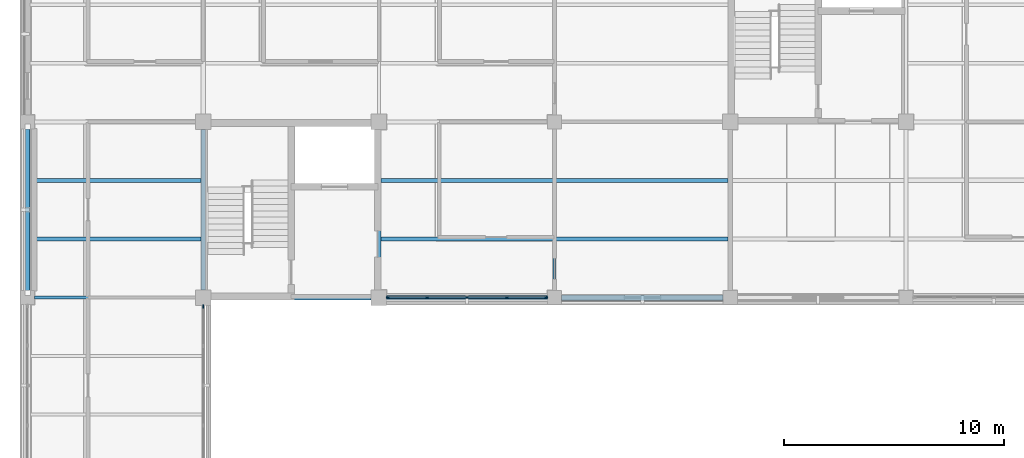
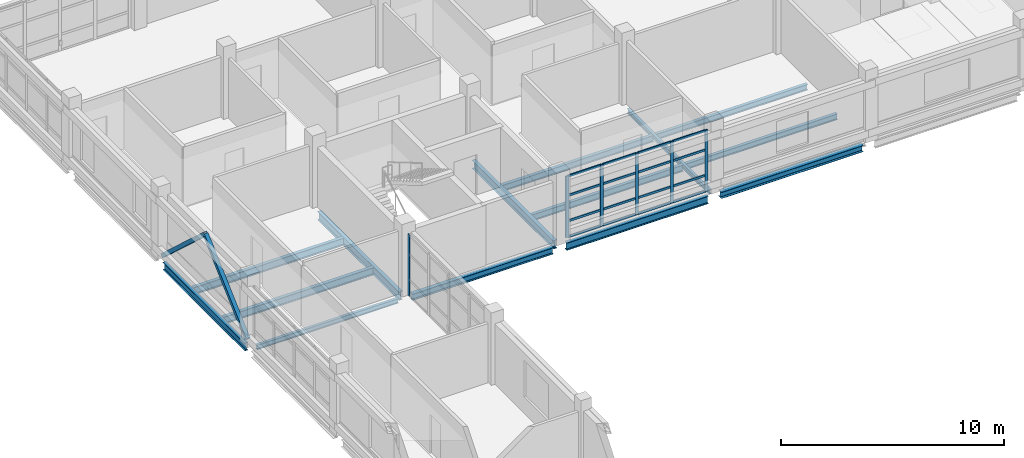
# One storey, part 24 of 92: 24 members, 14 beams, 2 elements without a shape of their own.
"""IFC4 building model written with IfcOpenShell, lengths in metres."""

from ifc_helpers import new_model, si_unit, derived_unit, direction, frame, origin, origin_2d, place, context, subcontext, project, spatial, rectangle, hollow_rectangle, i_section, extrude, material, layer, layer_set, material_profile, profile_set, type_object, element, aggregate, save


model = new_model("IFC4")

# Units and contexts
model_context = context("Model", 3, precision=1e-05, world=origin(), true_north=direction((0.0, 1.0)))
body_context = subcontext(model_context, "Body", "Model", "MODEL_VIEW")
ifc_project = project(units=[si_unit("LENGTHUNIT", "METRE"), si_unit("AREAUNIT", "SQUARE_METRE"), si_unit("VOLUMEUNIT", "CUBIC_METRE"), si_unit("PLANEANGLEUNIT", "RADIAN"), si_unit("MASSUNIT", "GRAM", prefix="KILO"), derived_unit("THERMALTRANSMITTANCEUNIT", [(si_unit("MASSUNIT", "GRAM", prefix="KILO"), 1), (si_unit("TIMEUNIT", "SECOND"), -3), (si_unit("THERMODYNAMICTEMPERATUREUNIT", "KELVIN"), -1)])], contexts=[model_context])

# Site, building, storey
site_placement = place(None, origin())
site = spatial("IfcSite", under=ifc_project, at=site_placement, CompositionType="ELEMENT")
building_placement = place(site_placement, origin())
building = spatial("IfcBuilding", under=site, at=building_placement, Name="Veyamyaing Civic Hall", CompositionType="ELEMENT")
storey_placement = place(building_placement, frame((0.0, 0.0, 17.820068359375)))
storey = spatial("IfcBuildingStorey", under=building, at=storey_placement, Name="L04", CompositionType="ELEMENT", Elevation=17.820068359375)

# Beams
ifc_material_1 = material(Name="Steel ASTM A992", Category="steel")
ifc_material_profile_1 = material_profile(ifc_material_1, i_section(OverallWidth=0.19189453125, OverallDepth=0.462890625, WebThickness=0.010498046875, FlangeThickness=0.017578125, FilletRadius=0.010009765625, at=origin_2d()), Name="W460X89")
ifc_profile_set_1 = profile_set([ifc_material_profile_1], Name="Steel ASTM A992")
beam_type_1 = type_object("IfcBeamType", Name="B-08", PredefinedType="BEAM", material=ifc_profile_set_1)
beam_1_placement = place(storey_placement, frame((8.0, 88.35009765625, -0.466552734375), z_axis=(0.0, 1.0, 0.0), x_axis=(-1.0, 0.0, 0.0)))
element("IfcBeam", 1, at=beam_1_placement, inside=storey, type_object=beam_type_1, Name="Girder B-08 L04 Grid 2 M-N", PredefinedType="BEAM", context=body_context, shape_type="SweptSolid", body=[
    extrude(i_section(OverallWidth=0.19189453125, OverallDepth=0.462890625, WebThickness=0.010498046875, FlangeThickness=0.017578125, FilletRadius=0.010009765625, at=origin_2d()), origin(), (0.0, 0.0, 1.0), 7.2998046875),
])
ifc_material_profile_2 = material_profile(ifc_material_1, i_section(OverallWidth=0.18994140625, OverallDepth=0.45703125, WebThickness=0.009033203125, FlangeThickness=0.014404296875, FilletRadius=0.010009765625, at=origin_2d()), Name="W460X74")
ifc_profile_set_2 = profile_set([ifc_material_profile_2], Name="Steel ASTM A992")
beam_type_2 = type_object("IfcBeamType", Name="B-09", PredefinedType="BEAM", material=ifc_profile_set_2)
beam_2_placement = place(storey_placement, frame((16.0, 88.35009765625, -0.463623046875), z_axis=(0.0, 1.0, 0.0), x_axis=(-1.0, 0.0, 0.0)))
element("IfcBeam", 2, at=beam_2_placement, inside=storey, type_object=beam_type_2, Name="Girder B-09 L04 Grid 3 M-N", PredefinedType="BEAM", context=body_context, shape_type="SweptSolid", body=[
    extrude(i_section(OverallWidth=0.18994140625, OverallDepth=0.45703125, WebThickness=0.009033203125, FlangeThickness=0.014404296875, FilletRadius=0.010009765625, at=origin_2d()), origin(), (0.0, 0.0, 1.0), 7.2998046875),
])
ifc_material_profile_3 = material_profile(ifc_material_1, i_section(OverallWidth=0.179931640625, OverallDepth=0.4130859375, WebThickness=0.009765625, FlangeThickness=0.01611328125, FilletRadius=0.010009765625, at=origin_2d()), Name="W410X74")
ifc_profile_set_3 = profile_set([ifc_material_profile_3], Name="Steel ASTM A992")
beam_type_3 = type_object("IfcBeamType", Name="B-10", PredefinedType="SPANDREL", material=ifc_profile_set_3)
beam_3_placement = place(storey_placement, frame((0.0, 88.324951171875, -0.441650390625), z_axis=(0.0, 1.0, 0.0), x_axis=(-1.0, 0.0, 0.0)))
element("IfcBeam", 3, at=beam_3_placement, inside=storey, type_object=beam_type_3, Name="Girder B-10 L04 Grid 1 M-N", PredefinedType="SPANDREL", context=body_context, shape_type="SweptSolid", body=[
    extrude(i_section(OverallWidth=0.179931640625, OverallDepth=0.4130859375, WebThickness=0.009765625, FlangeThickness=0.01611328125, FilletRadius=0.010009765625, at=origin_2d()), origin(), (0.0, 0.0, 1.0), 7.35009765625),
])
ifc_material_profile_4 = material_profile(ifc_material_1, i_section(OverallWidth=0.2041015625, OverallDepth=0.35009765625, WebThickness=0.0078125, FlangeThickness=0.01513671875, FilletRadius=0.010009765625, at=origin_2d()), Name="W360X72")
ifc_profile_set_4 = profile_set([ifc_material_profile_4], Name="Steel ASTM A992")
beam_type_4 = type_object("IfcBeamType", Name="B-11", PredefinedType="SPANDREL", material=ifc_profile_set_4)
beam_4_placement = place(storey_placement, frame((8.35009765625, 88.0, -0.41015625), z_axis=(1.0, 0.0, 0.0), x_axis=(0.0, 1.0, 0.0)))
element("IfcBeam", 4, at=beam_4_placement, inside=storey, type_object=beam_type_4, Name="Girder B-11 L04 Grid M 2-3", PredefinedType="SPANDREL", context=body_context, shape_type="SweptSolid", body=[
    extrude(i_section(OverallWidth=0.2041015625, OverallDepth=0.35009765625, WebThickness=0.0078125, FlangeThickness=0.01513671875, FilletRadius=0.010009765625, at=origin_2d()), origin(), (0.0, 0.0, 1.0), 7.2998046875),
])
ifc_material_profile_5 = material_profile(ifc_material_1, i_section(OverallWidth=0.14599609375, OverallDepth=0.258056640625, WebThickness=0.006103515625, FlangeThickness=0.009033203125, FilletRadius=0.010009765625, at=origin_2d()), Name="W250X33")
ifc_profile_set_5 = profile_set([ifc_material_profile_5], Name="Steel ASTM A992")
beam_type_5 = type_object("IfcBeamType", Name="B-12", PredefinedType="BEAM", material=ifc_profile_set_5)
beam_5_placement = place(storey_placement, frame((0.324951171875, 88.0, -0.364013671875), z_axis=(1.0, 0.0, 0.0), x_axis=(0.0, 1.0, 0.0)))
element("IfcBeam", 5, at=beam_5_placement, inside=storey, type_object=beam_type_5, Name="Girder B-12 L04 Grid M 1-2", PredefinedType="BEAM", context=body_context, shape_type="SweptSolid", body=[
    extrude(i_section(OverallWidth=0.14599609375, OverallDepth=0.258056640625, WebThickness=0.006103515625, FlangeThickness=0.009033203125, FilletRadius=0.010009765625, at=origin_2d()), origin(), (0.0, 0.0, 1.0), 7.324951171875),
])
beam_6_placement = place(storey_placement, frame((24.0, 88.324951171875, -0.364013671875), z_axis=(0.0, 1.0, 0.0), x_axis=(-1.0, 0.0, 0.0)))
element("IfcBeam", 6, at=beam_6_placement, inside=storey, type_object=beam_type_5, Name="Girder B-12 L04 Grid 4 M-N", PredefinedType="BEAM", context=body_context, shape_type="SweptSolid", body=[
    extrude(i_section(OverallWidth=0.14599609375, OverallDepth=0.258056640625, WebThickness=0.006103515625, FlangeThickness=0.009033203125, FilletRadius=0.010009765625, at=origin_2d()), origin(), (0.0, 0.0, 1.0), 7.35009765625),
])
ifc_material_profile_6 = material_profile(ifc_material_1, i_section(OverallWidth=0.180908203125, OverallDepth=0.4169921875, WebThickness=0.010986328125, FlangeThickness=0.018310546875, FilletRadius=0.010009765625, at=origin_2d()), Name="W410X85")
ifc_profile_set_6 = profile_set([ifc_material_profile_6], Name="Steel ASTM A992")
beam_type_6 = type_object("IfcBeamType", Name="B-19", PredefinedType="SPANDREL", material=ifc_profile_set_6)
beam_7_placement = place(storey_placement, frame((16.35009765625, 88.0, -0.443603515625), z_axis=(1.0, 0.0, 0.0), x_axis=(0.0, 1.0, 0.0)))
element("IfcBeam", 7, at=beam_7_placement, inside=storey, type_object=beam_type_6, Name="Girder B-19 L04 Grid M 3-4", PredefinedType="SPANDREL", context=body_context, shape_type="SweptSolid", body=[
    extrude(i_section(OverallWidth=0.180908203125, OverallDepth=0.4169921875, WebThickness=0.010986328125, FlangeThickness=0.018310546875, FilletRadius=0.010009765625, at=origin_2d()), origin(), (0.0, 0.0, 1.0), 7.324951171875),
])
ifc_material_profile_7 = material_profile(ifc_material_1, i_section(OverallWidth=0.25390625, OverallDepth=0.35302734375, WebThickness=0.009521484375, FlangeThickness=0.016357421875, FilletRadius=0.011962890625, at=origin_2d()), Name="W360X91")
ifc_profile_set_7 = profile_set([ifc_material_profile_7], Name="Steel ASTM A992")
beam_type_7 = type_object("IfcBeamType", Name="B-20", PredefinedType="SPANDREL", material=ifc_profile_set_7)
beam_8_placement = place(storey_placement, frame((24.324951171875, 88.0, -0.41162109375), z_axis=(1.0, 0.0, 0.0), x_axis=(0.0, 1.0, 0.0)))
element("IfcBeam", 8, at=beam_8_placement, inside=storey, type_object=beam_type_7, Name="Girder B-20 L04 Grid M 4-5", PredefinedType="SPANDREL", context=body_context, shape_type="SweptSolid", body=[
    extrude(i_section(OverallWidth=0.25390625, OverallDepth=0.35302734375, WebThickness=0.009521484375, FlangeThickness=0.016357421875, FilletRadius=0.011962890625, at=origin_2d()), origin(), (0.0, 0.0, 1.0), 7.35009765625),
])

# Members
ifc_material_2 = material(Name="Steel S355J2", Category="steel")
ifc_material_profile_8 = material_profile(ifc_material_2, hollow_rectangle(XDim=0.202880859375, YDim=0.202880859375, WallThickness=0.0126953125, at=origin_2d()), Name="HSS203X203X12.7")
ifc_profile_set_8 = profile_set([ifc_material_profile_8], Name="Steel S355J2")
member_type_1 = type_object("IfcMemberType", Name="BR-02", PredefinedType="BRACE", material=ifc_profile_set_8)
for number, where, z_axis, x_axis, name in (
    (9, (0.0, 88.219970703125, 0.050048828125), (0.0, 0.737646368513, 0.675187259224), (-1.0, 0.0, 0.0), "Seismic chevron brace BR-02 BF-NW L04.L"),
    (10, (0.0, 95.780029296875, 0.050048828125), (0.0, -0.737646368513, 0.675187259224), (1.0, 0.0, 0.0), "Seismic chevron brace BR-02 BF-NW L04.R"),
):
    element("IfcMember", number, at=place(storey_placement, frame(where, z_axis=z_axis, x_axis=x_axis)), inside=storey, type_object=member_type_1, Name=name, PredefinedType="BRACE", context=body_context, shape_type="SweptSolid", body=[
        extrude(hollow_rectangle(XDim=0.202880859375, YDim=0.202880859375, WallThickness=0.0126953125, at=origin_2d()), origin(), (0.0, 0.0, 1.0), 5.12451171875),
    ])

# Curtain wall, member
ifc_material_3 = material(Name="Anodised aluminium 6063-T6", Category="aluminium")
ifc_layer = layer(ifc_material_3, 0.159912109375, Name="Anodised aluminium 6063-T6")
ifc_layer_set = layer_set([ifc_layer], Name="Anodised aluminium 6063-T6")
curtain_wall_type = type_object("IfcCurtainWallType", Name="CW-08", PredefinedType="NOTDEFINED", material=ifc_layer_set)
curtain_wall_1_placement = place(storey_placement, origin())
curtain_wall_1 = element("IfcCurtainWall", 11, at=curtain_wall_1_placement, inside=storey, type_object=curtain_wall_type, Name="Unitized curtain wall CW-08 L04 E 1.11", PredefinedType="NOTDEFINED")
ifc_material_profile_9 = material_profile(ifc_material_3, rectangle(XDim=0.06494140625, YDim=0.159912109375, at=origin_2d()), Name="ALU-MUL-65X160")
ifc_profile_set_9 = profile_set([ifc_material_profile_9], Name="Anodised aluminium 6063-T6")
member_type_2 = type_object("IfcMemberType", Name="CWM-01", PredefinedType="MULLION", material=ifc_profile_set_9)
member_1_placement = place(storey_placement, frame((8.0, 87.58740234375, 0.0), z_axis=(0.0, 0.0, 1.0), x_axis=(-1.0, 0.0, 0.0)))
member_1 = element("IfcMember", 12, at=member_1_placement, type_object=member_type_2, Name="CW-08 mullion 5", PredefinedType="MULLION", context=body_context, shape_type="SweptSolid", body=[
    extrude(rectangle(XDim=0.06494140625, YDim=0.159912109375, at=origin_2d()), origin(), (0.0, 0.0, 1.0), 3.371826171875),
])
aggregate(curtain_wall_1, [member_1])

# Curtain wall, members
curtain_wall_2_placement = place(storey_placement, origin())
curtain_wall_2 = element("IfcCurtainWall", 13, at=curtain_wall_2_placement, inside=storey, type_object=curtain_wall_type, Name="Unitized curtain wall CW-08 L04 S 3.12", PredefinedType="NOTDEFINED")
member_2_placement = place(storey_placement, frame((16.41259765625, 88.0, 0.0), z_axis=(0.0, 0.0, 1.0), x_axis=(0.0, 1.0, 0.0)))
member_2 = element("IfcMember", 14, at=member_2_placement, type_object=member_type_2, Name="CW-08 mullion 1", PredefinedType="MULLION", context=body_context, shape_type="SweptSolid", body=[
    extrude(rectangle(XDim=0.06494140625, YDim=0.159912109375, at=origin_2d()), origin(), (0.0, 0.0, 1.0), 3.3740234375),
])
member_3_placement = place(storey_placement, frame((18.1962890625, 88.0, 0.0), z_axis=(0.0, 0.0, 1.0), x_axis=(0.0, 1.0, 0.0)))
member_3 = element("IfcMember", 15, at=member_3_placement, type_object=member_type_2, Name="CW-08 mullion 2", PredefinedType="MULLION", context=body_context, shape_type="SweptSolid", body=[
    extrude(rectangle(XDim=0.06494140625, YDim=0.159912109375, at=origin_2d()), origin(), (0.0, 0.0, 1.0), 3.3740234375),
])
member_4_placement = place(storey_placement, frame((20.012451171875, 88.0, 0.0), z_axis=(0.0, 0.0, 1.0), x_axis=(0.0, 1.0, 0.0)))
member_4 = element("IfcMember", 16, at=member_4_placement, type_object=member_type_2, Name="CW-08 mullion 3", PredefinedType="MULLION", context=body_context, shape_type="SweptSolid", body=[
    extrude(rectangle(XDim=0.06494140625, YDim=0.159912109375, at=origin_2d()), origin(), (0.0, 0.0, 1.0), 3.3740234375),
])
member_5_placement = place(storey_placement, frame((21.828857421875, 88.0, 0.0), z_axis=(0.0, 0.0, 1.0), x_axis=(0.0, 1.0, 0.0)))
member_5 = element("IfcMember", 17, at=member_5_placement, type_object=member_type_2, Name="CW-08 mullion 4", PredefinedType="MULLION", context=body_context, shape_type="SweptSolid", body=[
    extrude(rectangle(XDim=0.06494140625, YDim=0.159912109375, at=origin_2d()), origin(), (0.0, 0.0, 1.0), 3.3740234375),
])
member_6_placement = place(storey_placement, frame((23.612548828125, 88.0, 0.0), z_axis=(0.0, 0.0, 1.0), x_axis=(0.0, 1.0, 0.0)))
member_6 = element("IfcMember", 18, at=member_6_placement, type_object=member_type_2, Name="CW-08 mullion 5", PredefinedType="MULLION", context=body_context, shape_type="SweptSolid", body=[
    extrude(rectangle(XDim=0.06494140625, YDim=0.159912109375, at=origin_2d()), origin(), (0.0, 0.0, 1.0), 3.3740234375),
])
ifc_material_profile_10 = material_profile(ifc_material_3, rectangle(XDim=0.06494140625, YDim=0.1201171875, at=origin_2d()), Name="ALU-TRN-65X120")
ifc_profile_set_10 = profile_set([ifc_material_profile_10], Name="Anodised aluminium 6063-T6")
member_type_3 = type_object("IfcMemberType", Name="CWT-01", PredefinedType="USERDEFINED", material=ifc_profile_set_10)
member_7_placement = place(storey_placement, frame((16.445068359375, 88.0, 0.032470703125), z_axis=(1.0, 0.0, 0.0), x_axis=(0.0, 1.0, 0.0)))
member_7 = element("IfcMember", 19, at=member_7_placement, type_object=member_type_3, Name="CW-08 transom 1.1", ObjectType="TRANSOM", PredefinedType="USERDEFINED", context=body_context, shape_type="SweptSolid", body=[
    extrude(rectangle(XDim=0.06494140625, YDim=0.1201171875, at=origin_2d()), origin(), (0.0, 0.0, 1.0), 1.71875),
])
member_8_placement = place(storey_placement, frame((16.445068359375, 88.0, 0.89990234375), z_axis=(1.0, 0.0, 0.0), x_axis=(0.0, 1.0, 0.0)))
member_8 = element("IfcMember", 20, at=member_8_placement, type_object=member_type_3, Name="CW-08 transom 1.2", ObjectType="TRANSOM", PredefinedType="USERDEFINED", context=body_context, shape_type="SweptSolid", body=[
    extrude(rectangle(XDim=0.06494140625, YDim=0.1201171875, at=origin_2d()), origin(), (0.0, 0.0, 1.0), 1.71875),
])
member_9_placement = place(storey_placement, frame((16.445068359375, 88.0, 2.294189453125), z_axis=(1.0, 0.0, 0.0), x_axis=(0.0, 1.0, 0.0)))
member_9 = element("IfcMember", 21, at=member_9_placement, type_object=member_type_3, Name="CW-08 transom 1.3", ObjectType="TRANSOM", PredefinedType="USERDEFINED", context=body_context, shape_type="SweptSolid", body=[
    extrude(rectangle(XDim=0.06494140625, YDim=0.1201171875, at=origin_2d()), origin(), (0.0, 0.0, 1.0), 1.71875),
])
member_10_placement = place(storey_placement, frame((16.445068359375, 88.0, 3.341552734375), z_axis=(1.0, 0.0, 0.0), x_axis=(0.0, 1.0, 0.0)))
member_10 = element("IfcMember", 22, at=member_10_placement, type_object=member_type_3, Name="CW-08 transom 1.4", ObjectType="TRANSOM", PredefinedType="USERDEFINED", context=body_context, shape_type="SweptSolid", body=[
    extrude(rectangle(XDim=0.06494140625, YDim=0.1201171875, at=origin_2d()), origin(), (0.0, 0.0, 1.0), 1.71875),
])
member_11_placement = place(storey_placement, frame((18.228759765625, 88.0, 0.032470703125), z_axis=(1.0, 0.0, 0.0), x_axis=(0.0, 1.0, 0.0)))
member_11 = element("IfcMember", 23, at=member_11_placement, type_object=member_type_3, Name="CW-08 transom 2.1", ObjectType="TRANSOM", PredefinedType="USERDEFINED", context=body_context, shape_type="SweptSolid", body=[
    extrude(rectangle(XDim=0.06494140625, YDim=0.1201171875, at=origin_2d()), origin(), (0.0, 0.0, 1.0), 1.751220703125),
])
member_12_placement = place(storey_placement, frame((18.228759765625, 88.0, 0.89990234375), z_axis=(1.0, 0.0, 0.0), x_axis=(0.0, 1.0, 0.0)))
member_12 = element("IfcMember", 24, at=member_12_placement, type_object=member_type_3, Name="CW-08 transom 2.2", ObjectType="TRANSOM", PredefinedType="USERDEFINED", context=body_context, shape_type="SweptSolid", body=[
    extrude(rectangle(XDim=0.06494140625, YDim=0.1201171875, at=origin_2d()), origin(), (0.0, 0.0, 1.0), 1.751220703125),
])
member_13_placement = place(storey_placement, frame((18.228759765625, 88.0, 2.294189453125), z_axis=(1.0, 0.0, 0.0), x_axis=(0.0, 1.0, 0.0)))
member_13 = element("IfcMember", 25, at=member_13_placement, type_object=member_type_3, Name="CW-08 transom 2.3", ObjectType="TRANSOM", PredefinedType="USERDEFINED", context=body_context, shape_type="SweptSolid", body=[
    extrude(rectangle(XDim=0.06494140625, YDim=0.1201171875, at=origin_2d()), origin(), (0.0, 0.0, 1.0), 1.751220703125),
])
member_14_placement = place(storey_placement, frame((18.228759765625, 88.0, 3.341552734375), z_axis=(1.0, 0.0, 0.0), x_axis=(0.0, 1.0, 0.0)))
member_14 = element("IfcMember", 26, at=member_14_placement, type_object=member_type_3, Name="CW-08 transom 2.4", ObjectType="TRANSOM", PredefinedType="USERDEFINED", context=body_context, shape_type="SweptSolid", body=[
    extrude(rectangle(XDim=0.06494140625, YDim=0.1201171875, at=origin_2d()), origin(), (0.0, 0.0, 1.0), 1.751220703125),
])
member_15_placement = place(storey_placement, frame((20.044921875, 88.0, 0.032470703125), z_axis=(1.0, 0.0, 0.0), x_axis=(0.0, 1.0, 0.0)))
member_15 = element("IfcMember", 27, at=member_15_placement, type_object=member_type_3, Name="CW-08 transom 3.1", ObjectType="TRANSOM", PredefinedType="USERDEFINED", context=body_context, shape_type="SweptSolid", body=[
    extrude(rectangle(XDim=0.06494140625, YDim=0.1201171875, at=origin_2d()), origin(), (0.0, 0.0, 1.0), 1.751220703125),
])
member_16_placement = place(storey_placement, frame((20.044921875, 88.0, 0.89990234375), z_axis=(1.0, 0.0, 0.0), x_axis=(0.0, 1.0, 0.0)))
member_16 = element("IfcMember", 28, at=member_16_placement, type_object=member_type_3, Name="CW-08 transom 3.2", ObjectType="TRANSOM", PredefinedType="USERDEFINED", context=body_context, shape_type="SweptSolid", body=[
    extrude(rectangle(XDim=0.06494140625, YDim=0.1201171875, at=origin_2d()), origin(), (0.0, 0.0, 1.0), 1.751220703125),
])
member_17_placement = place(storey_placement, frame((20.044921875, 88.0, 2.294189453125), z_axis=(1.0, 0.0, 0.0), x_axis=(0.0, 1.0, 0.0)))
member_17 = element("IfcMember", 29, at=member_17_placement, type_object=member_type_3, Name="CW-08 transom 3.3", ObjectType="TRANSOM", PredefinedType="USERDEFINED", context=body_context, shape_type="SweptSolid", body=[
    extrude(rectangle(XDim=0.06494140625, YDim=0.1201171875, at=origin_2d()), origin(), (0.0, 0.0, 1.0), 1.751220703125),
])
member_18_placement = place(storey_placement, frame((20.044921875, 88.0, 3.341552734375), z_axis=(1.0, 0.0, 0.0), x_axis=(0.0, 1.0, 0.0)))
member_18 = element("IfcMember", 30, at=member_18_placement, type_object=member_type_3, Name="CW-08 transom 3.4", ObjectType="TRANSOM", PredefinedType="USERDEFINED", context=body_context, shape_type="SweptSolid", body=[
    extrude(rectangle(XDim=0.06494140625, YDim=0.1201171875, at=origin_2d()), origin(), (0.0, 0.0, 1.0), 1.751220703125),
])
member_19_placement = place(storey_placement, frame((21.861328125, 88.0, 0.032470703125), z_axis=(1.0, 0.0, 0.0), x_axis=(0.0, 1.0, 0.0)))
member_19 = element("IfcMember", 31, at=member_19_placement, type_object=member_type_3, Name="CW-08 transom 4.1", ObjectType="TRANSOM", PredefinedType="USERDEFINED", context=body_context, shape_type="SweptSolid", body=[
    extrude(rectangle(XDim=0.06494140625, YDim=0.1201171875, at=origin_2d()), origin(), (0.0, 0.0, 1.0), 1.71875),
])
member_20_placement = place(storey_placement, frame((21.861328125, 88.0, 0.89990234375), z_axis=(1.0, 0.0, 0.0), x_axis=(0.0, 1.0, 0.0)))
member_20 = element("IfcMember", 32, at=member_20_placement, type_object=member_type_3, Name="CW-08 transom 4.2", ObjectType="TRANSOM", PredefinedType="USERDEFINED", context=body_context, shape_type="SweptSolid", body=[
    extrude(rectangle(XDim=0.06494140625, YDim=0.1201171875, at=origin_2d()), origin(), (0.0, 0.0, 1.0), 1.71875),
])
member_21_placement = place(storey_placement, frame((21.861328125, 88.0, 2.294189453125), z_axis=(1.0, 0.0, 0.0), x_axis=(0.0, 1.0, 0.0)))
member_21 = element("IfcMember", 33, at=member_21_placement, type_object=member_type_3, Name="CW-08 transom 4.3", ObjectType="TRANSOM", PredefinedType="USERDEFINED", context=body_context, shape_type="SweptSolid", body=[
    extrude(rectangle(XDim=0.06494140625, YDim=0.1201171875, at=origin_2d()), origin(), (0.0, 0.0, 1.0), 1.71875),
])
member_22_placement = place(storey_placement, frame((21.861328125, 88.0, 3.341552734375), z_axis=(1.0, 0.0, 0.0), x_axis=(0.0, 1.0, 0.0)))
member_22 = element("IfcMember", 34, at=member_22_placement, type_object=member_type_3, Name="CW-08 transom 4.4", ObjectType="TRANSOM", PredefinedType="USERDEFINED", context=body_context, shape_type="SweptSolid", body=[
    extrude(rectangle(XDim=0.06494140625, YDim=0.1201171875, at=origin_2d()), origin(), (0.0, 0.0, 1.0), 1.71875),
])
aggregate(curtain_wall_2, [member_2, member_3, member_4, member_5, member_6, member_7, member_8, member_9, member_10, member_11, member_12, member_13, member_14, member_15, member_16, member_17, member_18, member_19, member_20, member_21, member_22])

# Beams
ifc_material_profile_11 = material_profile(ifc_material_1, i_section(OverallWidth=0.177978515625, OverallDepth=0.406982421875, WebThickness=0.0078125, FlangeThickness=0.0126953125, FilletRadius=0.010009765625, at=origin_2d()), Name="W410X60")
ifc_profile_set_11 = profile_set([ifc_material_profile_11], Name="Steel ASTM A992")
beam_type_8 = type_object("IfcBeamType", Name="J-01", PredefinedType="JOIST", material=ifc_profile_set_11)
for number, where, z_axis, x_axis, name in (
    (35, (0.087890625, 90.666748046875, -0.4384765625), (1.0, 0.0, 0.0), (0.0, 1.0, 0.0), "Composite floor joist J-01 L04 1.12.1"),
    (36, (0.087890625, 93.333251953125, -0.4384765625), (1.0, 0.0, 0.0), (0.0, 1.0, 0.0), "Composite floor joist J-01 L04 1.12.2"),
):
    element("IfcBeam", number, at=place(storey_placement, frame(where, z_axis=z_axis, x_axis=x_axis)), inside=storey, type_object=beam_type_8, Name=name, PredefinedType="JOIST", context=body_context, shape_type="SweptSolid", body=[
        extrude(i_section(OverallWidth=0.177978515625, OverallDepth=0.406982421875, WebThickness=0.0078125, FlangeThickness=0.0126953125, FilletRadius=0.010009765625, at=origin_2d()), origin(), (0.0, 0.0, 1.0), 7.818115234375),
    ])
ifc_material_profile_12 = material_profile(ifc_material_1, i_section(OverallWidth=0.1708984375, OverallDepth=0.35205078125, WebThickness=0.0068359375, FlangeThickness=0.009765625, FilletRadius=0.010009765625, at=origin_2d()), Name="W360X44")
ifc_profile_set_12 = profile_set([ifc_material_profile_12], Name="Steel ASTM A992")
beam_type_9 = type_object("IfcBeamType", Name="J-03", PredefinedType="JOIST", material=ifc_profile_set_12)
for number, where, z_axis, x_axis, name in (
    (37, (16.093017578125, 90.666748046875, -0.4111328125), (1.0, 0.0, 0.0), (0.0, 1.0, 0.0), "Composite floor joist J-03 L04 3.12.1"),
    (38, (16.093017578125, 93.333251953125, -0.4111328125), (1.0, 0.0, 0.0), (0.0, 1.0, 0.0), "Composite floor joist J-03 L04 3.12.2"),
):
    element("IfcBeam", number, at=place(storey_placement, frame(where, z_axis=z_axis, x_axis=x_axis)), inside=storey, type_object=beam_type_9, Name=name, PredefinedType="JOIST", context=body_context, shape_type="SweptSolid", body=[
        extrude(i_section(OverallWidth=0.1708984375, OverallDepth=0.35205078125, WebThickness=0.0068359375, FlangeThickness=0.009765625, FilletRadius=0.010009765625, at=origin_2d()), origin(), (0.0, 0.0, 1.0), 7.8359375),
    ])
ifc_material_profile_13 = material_profile(ifc_material_1, i_section(OverallWidth=0.1669921875, OverallDepth=0.318115234375, WebThickness=0.007568359375, FlangeThickness=0.01318359375, FilletRadius=0.010009765625, at=origin_2d()), Name="W310X52")
ifc_profile_set_13 = profile_set([ifc_material_profile_13], Name="Steel ASTM A992")
beam_type_10 = type_object("IfcBeamType", Name="J-04", PredefinedType="JOIST", material=ifc_profile_set_13)
for number, where, z_axis, x_axis, name in (
    (39, (24.071044921875, 90.666748046875, -0.39404296875), (1.0, 0.0, 0.0), (0.0, 1.0, 0.0), "Composite floor joist J-04 L04 4.12.1"),
    (40, (24.071044921875, 93.333251953125, -0.39404296875), (1.0, 0.0, 0.0), (0.0, 1.0, 0.0), "Composite floor joist J-04 L04 4.12.2"),
):
    element("IfcBeam", number, at=place(storey_placement, frame(where, z_axis=z_axis, x_axis=x_axis)), inside=storey, type_object=beam_type_10, Name=name, PredefinedType="JOIST", context=body_context, shape_type="SweptSolid", body=[
        extrude(i_section(OverallWidth=0.1669921875, OverallDepth=0.318115234375, WebThickness=0.007568359375, FlangeThickness=0.01318359375, FilletRadius=0.010009765625, at=origin_2d()), origin(), (0.0, 0.0, 1.0), 7.8349609375),
    ])

save(model, "model.ifc")
